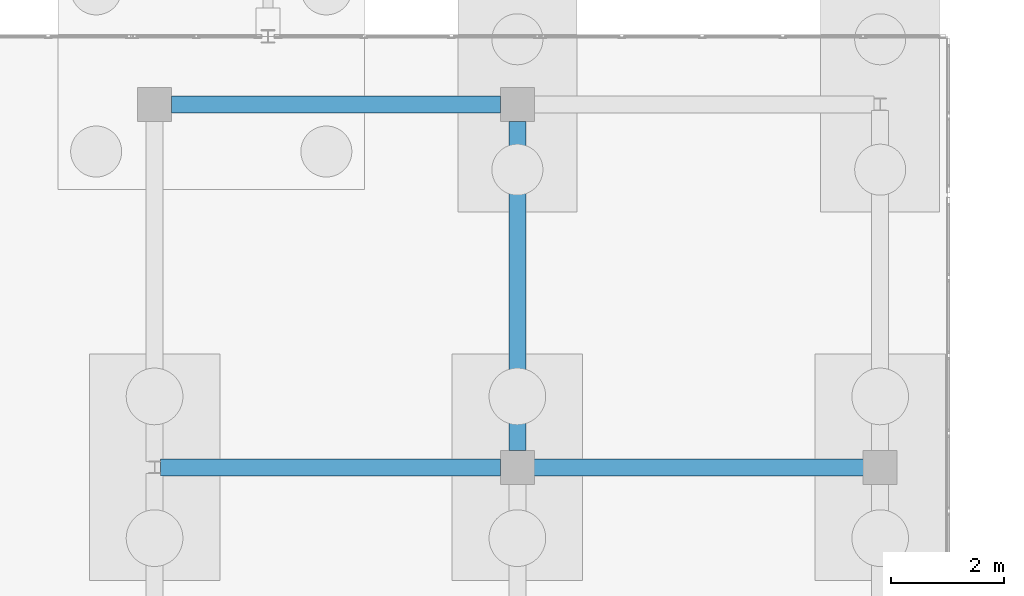
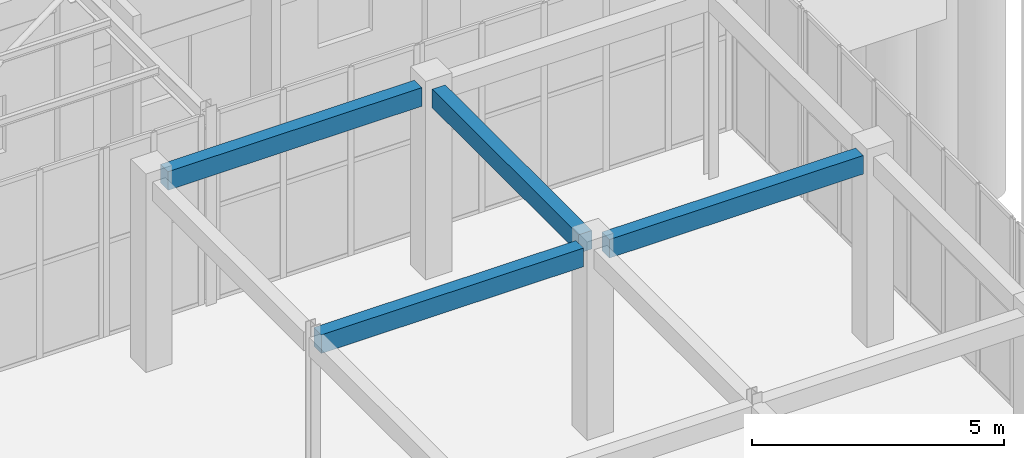
# One storey, part 117 of 192: 4 beams.
"""IFC4 building model written with IfcOpenShell, lengths in metres."""

from ifc_helpers import new_model, si_unit, direction, frame, origin, origin_2d, place, context, subcontext, project, spatial, rectangle, extrude, material, material_profile, profile_set, type_object, element, save


model = new_model("IFC4")

# Units and contexts
model_context = context("Model", 3, precision=1e-05, world=origin(), true_north=direction((0.0, 1.0)))
body_context = subcontext(model_context, "Body", "Model", "MODEL_VIEW")
ifc_project = project(units=[si_unit("LENGTHUNIT", "METRE"), si_unit("AREAUNIT", "SQUARE_METRE"), si_unit("VOLUMEUNIT", "CUBIC_METRE"), si_unit("PLANEANGLEUNIT", "RADIAN"), si_unit("MASSUNIT", "GRAM", prefix="KILO")], contexts=[model_context])

# Site, building, storey
site_placement = place(None, origin())
site = spatial("IfcSite", under=ifc_project, at=site_placement, CompositionType="ELEMENT")
building_placement = place(site_placement, origin())
building = spatial("IfcBuilding", under=site, at=building_placement, Name="Trelvath General Hospital", CompositionType="ELEMENT")
storey_placement = place(building_placement, origin())
storey = spatial("IfcBuildingStorey", under=building, at=storey_placement, Name="L00", CompositionType="ELEMENT", Elevation=0.0)

# Beams
ifc_material = material(Name="Concrete C35/45", Category="concrete")
ifc_material_profile = material_profile(ifc_material, rectangle(XDim=0.300048828125, YDim=0.449951171875, at=origin_2d()), Name="RCB300x450")
ifc_profile_set = profile_set([ifc_material_profile], Name="Concrete C35/45")
beam_type = type_object("IfcBeamType", Name="Beam RC300x450", PredefinedType="BEAM", material=ifc_profile_set)
beam_1_placement = place(storey_placement, frame((107.305908203125, 79.199951171875, 4.3349609375), z_axis=(1.0, 0.0, 0.0), x_axis=(0.0, 1.0, 0.0)))
element("IfcBeam", 1, at=beam_1_placement, inside=storey, type_object=beam_type, Name="Cube Interior Ring Beam CUBE-E-T0 L00", PredefinedType="BEAM", context=body_context, shape_type="SweptSolid", body=[
    extrude(rectangle(XDim=0.300048828125, YDim=0.449951171875, at=origin_2d()), origin(), (0.0, 0.0, 1.0), 5.998046875),
])
beam_2_placement = place(storey_placement, frame((113.89599609375, 79.199951171875, 4.3349609375), z_axis=(1.0, 0.0, 0.0), x_axis=(0.0, 1.0, 0.0)))
element("IfcBeam", 2, at=beam_2_placement, inside=storey, type_object=beam_type, Name="Cube Interior Ring Beam CUBE-E-T0 L00", PredefinedType="BEAM", context=body_context, shape_type="SweptSolid", body=[
    extrude(rectangle(XDim=0.300048828125, YDim=0.449951171875, at=origin_2d()), origin(), (0.0, 0.0, 1.0), 5.80810546875),
])
for number, where, z_axis, x_axis, name in (
    (3, (107.49609375, 85.60009765625, 4.3349609375), (1.0, 0.0, 0.0), (0.0, 1.0, 0.0), "Cube Interior Ring Beam CUBE-E-T0 L00"),
    (4, (113.60009765625, 79.49609375, 4.3349609375), (0.0, 1.0, 0.0), (-1.0, 0.0, 0.0), "Cube Interior Ring Beam CUBE-E-T0 L00"),
):
    element("IfcBeam", number, at=place(storey_placement, frame(where, z_axis=z_axis, x_axis=x_axis)), inside=storey, type_object=beam_type, Name=name, PredefinedType="BEAM", context=body_context, shape_type="SweptSolid", body=[
        extrude(rectangle(XDim=0.300048828125, YDim=0.449951171875, at=origin_2d()), origin(), (0.0, 0.0, 1.0), 5.807861328125),
    ])

save(model, "model.ifc")
